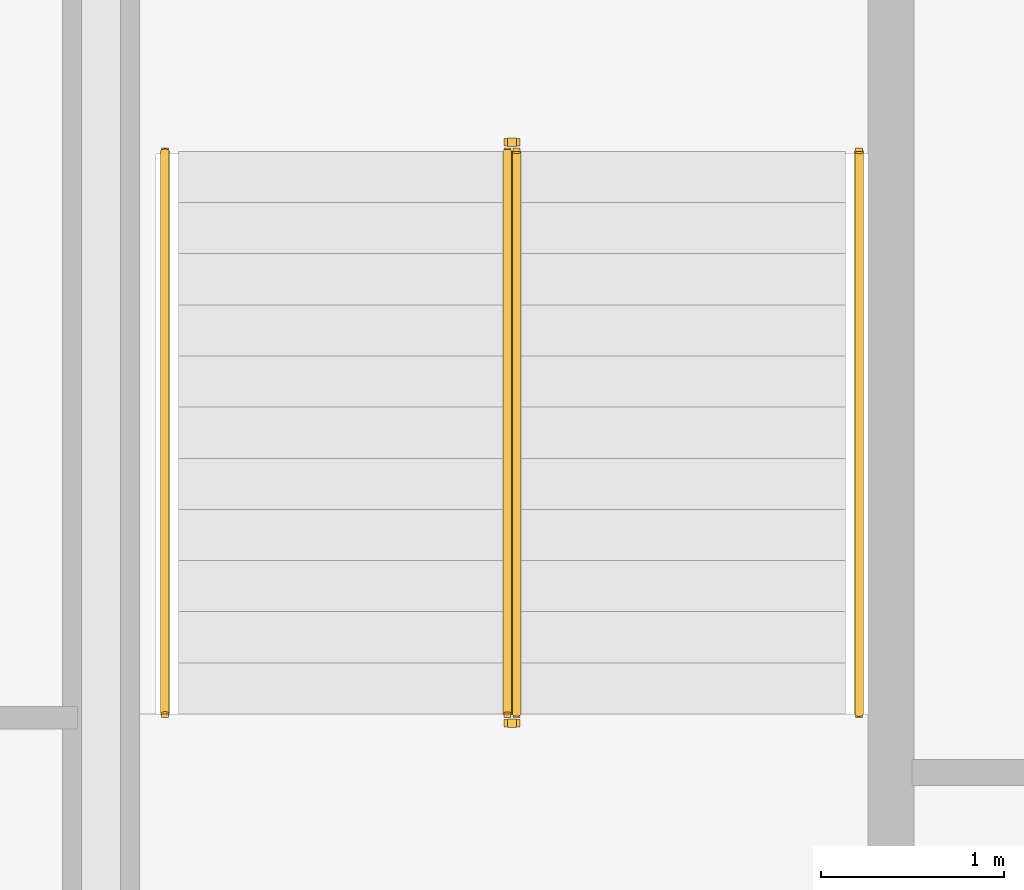
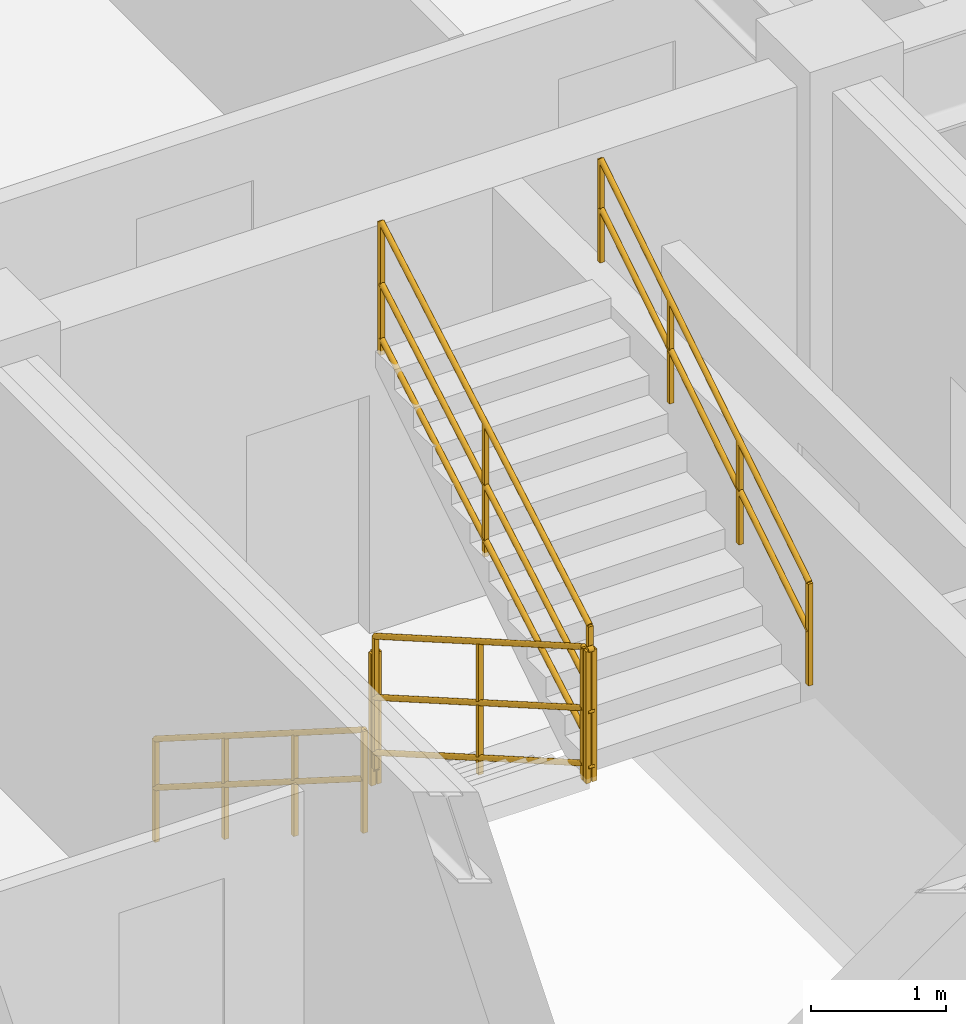
# One storey, part 10 of 10: 6 railings.
"""IFC4 building model written with IfcOpenShell, lengths in metres."""

from ifc_helpers import new_model, entity, si_unit, converted_unit, direction, frame, origin_with_axes, origin_2d_with_axis, place, context, subcontext, project, spatial, rectangle, circle, extrude, material, type_object, element, save


model = new_model("IFC4")

# Units and contexts
model_context = context("Model", 3, precision=1e-05, world=origin_with_axes(), true_north=direction((0.0, 1.0)))
body_context = subcontext(model_context, "Body", "Model", "MODEL_VIEW")
ifc_project = project(units=[si_unit("LENGTHUNIT", "METRE"), si_unit("AREAUNIT", "SQUARE_METRE"), si_unit("VOLUMEUNIT", "CUBIC_METRE"), converted_unit("PLANEANGLEUNIT", "DEGREE", entity("IfcPlaneAngleMeasure", 0.017453292519943295), si_unit("PLANEANGLEUNIT", "RADIAN"), dimensions=[0, 0, 0, 0, 0, 0, 0]), si_unit("MASSUNIT", "GRAM", prefix="KILO"), si_unit("THERMODYNAMICTEMPERATUREUNIT", "KELVIN")], contexts=[model_context])

# Site, building, storey
site_placement = place(None, origin_with_axes())
site = spatial("IfcSite", under=ifc_project, at=site_placement, CompositionType="ELEMENT")
building_placement = place(site_placement, origin_with_axes())
building = spatial("IfcBuilding", under=site, at=building_placement, Name="Varnlund Millrace Tower", CompositionType="ELEMENT")
storey_placement = place(building_placement, frame((0.0, 0.0, 280.2), z_axis=(0.0, 0.0, 1.0), x_axis=(1.0, 0.0, 0.0)))
storey = spatial("IfcBuildingStorey", under=building, at=storey_placement, Name="L69", CompositionType="ELEMENT", Elevation=280.2)

# Railings
ifc_material_1 = material(Name="Painted steel stair well balustrade guard", Category="steel")
railing_type_1 = type_object("IfcRailingType", Name="Type-StairGuard-1150", PredefinedType="GUARDRAIL", material=ifc_material_1)
railing_1_placement = place(storey_placement, frame((0.0, 0.0, -280.2), z_axis=(0.0, 0.0, 1.0), x_axis=(1.0, 0.0, 0.0)))
element("IfcRailing", 1, at=railing_1_placement, inside=storey, type_object=railing_type_1, Name="Type-StairGuard-1150", PredefinedType="GUARDRAIL", context=body_context, shape_type="SweptSolid", body=[
    extrude(circle(Radius=0.024, at=origin_2d_with_axis()), frame((13.625, 35.9, 281.527273), z_axis=(0.0, -0.866696, 0.498836), x_axis=(1.0, 0.0, 0.0)), (0.0, 0.0, 1.0), 3.553725),
    extrude(circle(Radius=0.024, at=origin_2d_with_axis()), frame((13.625, 35.9, 280.477273), z_axis=(0.0, -0.866696, 0.498836), x_axis=(1.0, 0.0, 0.0)), (0.0, 0.0, 1.0), 3.553725),
    extrude(circle(Radius=0.024, at=origin_2d_with_axis()), frame((13.625, 35.9, 280.975273), z_axis=(0.0, -0.866696, 0.498836), x_axis=(1.0, 0.0, 0.0)), (0.0, 0.0, 1.0), 3.553725),
    extrude(rectangle(XDim=0.04, YDim=0.04, at=origin_2d_with_axis()), frame((13.625, 35.9, 280.337273), z_axis=(0.0, 0.0, 1.0), x_axis=(1.0, 0.0, 0.0)), (0.0, 0.0, 1.0), 1.19),
    extrude(rectangle(XDim=0.04, YDim=0.04, at=origin_2d_with_axis()), frame((13.625, 34.36, 281.223636), z_axis=(0.0, 0.0, 1.0), x_axis=(1.0, 0.0, 0.0)), (0.0, 0.0, 1.0), 1.19),
    extrude(rectangle(XDim=0.04, YDim=0.04, at=origin_2d_with_axis()), frame((13.625, 32.82, 282.11), z_axis=(0.0, 0.0, 1.0), x_axis=(1.0, 0.0, 0.0)), (0.0, 0.0, 1.0), 1.19),
])
railing_2_placement = place(storey_placement, frame((0.0, 0.0, -280.2), z_axis=(0.0, 0.0, 1.0), x_axis=(1.0, 0.0, 0.0)))
element("IfcRailing", 2, at=railing_2_placement, inside=storey, type_object=railing_type_1, Name="Type-StairGuard-1150", PredefinedType="GUARDRAIL", context=body_context, shape_type="SweptSolid", body=[
    extrude(circle(Radius=0.024, at=origin_2d_with_axis()), frame((13.675, 32.77, 283.3), z_axis=(-1.0, 0.0, 0.0), x_axis=(0.0, -1.0, 0.0)), (0.0, 0.0, 1.0), 0.05),
    extrude(circle(Radius=0.024, at=origin_2d_with_axis()), frame((13.675, 32.77, 282.25), z_axis=(-1.0, 0.0, 0.0), x_axis=(0.0, -1.0, 0.0)), (0.0, 0.0, 1.0), 0.05),
    extrude(circle(Radius=0.024, at=origin_2d_with_axis()), frame((13.675, 32.77, 282.748), z_axis=(-1.0, 0.0, 0.0), x_axis=(0.0, -1.0, 0.0)), (0.0, 0.0, 1.0), 0.05),
    extrude(rectangle(XDim=0.04, YDim=0.04, at=origin_2d_with_axis()), frame((13.675, 32.77, 282.11), z_axis=(0.0, 0.0, 1.0), x_axis=(1.0, 0.0, 0.0)), (0.0, 0.0, 1.0), 1.19),
    extrude(rectangle(XDim=0.04, YDim=0.04, at=origin_2d_with_axis()), frame((13.625, 32.77, 282.11), z_axis=(0.0, 0.0, 1.0), x_axis=(1.0, 0.0, 0.0)), (0.0, 0.0, 1.0), 1.19),
])
railing_3_placement = place(storey_placement, frame((0.0, 0.0, -280.2), z_axis=(0.0, 0.0, 1.0), x_axis=(1.0, 0.0, 0.0)))
element("IfcRailing", 3, at=railing_3_placement, inside=storey, type_object=railing_type_1, Name="Type-StairGuard-1150", PredefinedType="GUARDRAIL", context=body_context, shape_type="SweptSolid", body=[
    extrude(circle(Radius=0.024, at=origin_2d_with_axis()), frame((13.675, 32.82, 283.477273), z_axis=(0.0, 0.866696, 0.498836), x_axis=(-1.0, 0.0, 0.0)), (0.0, 0.0, 1.0), 3.553725),
    extrude(circle(Radius=0.024, at=origin_2d_with_axis()), frame((13.675, 32.82, 282.427273), z_axis=(0.0, 0.866696, 0.498836), x_axis=(-1.0, 0.0, 0.0)), (0.0, 0.0, 1.0), 3.553725),
    extrude(circle(Radius=0.024, at=origin_2d_with_axis()), frame((13.675, 32.82, 282.925273), z_axis=(0.0, 0.866696, 0.498836), x_axis=(-1.0, 0.0, 0.0)), (0.0, 0.0, 1.0), 3.553725),
    extrude(rectangle(XDim=0.04, YDim=0.04, at=origin_2d_with_axis()), frame((13.675, 32.82, 282.287273), z_axis=(0.0, 0.0, 1.0), x_axis=(1.0, 0.0, 0.0)), (0.0, 0.0, 1.0), 1.19),
    extrude(rectangle(XDim=0.04, YDim=0.04, at=origin_2d_with_axis()), frame((13.675, 34.36, 283.173636), z_axis=(0.0, 0.0, 1.0), x_axis=(1.0, 0.0, 0.0)), (0.0, 0.0, 1.0), 1.19),
    extrude(rectangle(XDim=0.04, YDim=0.04, at=origin_2d_with_axis()), frame((13.675, 35.9, 284.06), z_axis=(0.0, 0.0, 1.0), x_axis=(1.0, 0.0, 0.0)), (0.0, 0.0, 1.0), 1.19),
])
railing_4_placement = place(storey_placement, frame((0.0, 0.0, -280.2), z_axis=(0.0, 0.0, 1.0), x_axis=(1.0, 0.0, 0.0)))
element("IfcRailing", 4, at=railing_4_placement, inside=storey, type_object=railing_type_1, Name="Type-StairGuard-1150", PredefinedType="GUARDRAIL", context=body_context, shape_type="SweptSolid", body=[
    extrude(circle(Radius=0.024, at=origin_2d_with_axis()), frame((13.675, 35.95, 281.35), z_axis=(-1.0, 0.0, 0.0), x_axis=(0.0, -1.0, 0.0)), (0.0, 0.0, 1.0), 0.05),
    extrude(circle(Radius=0.024, at=origin_2d_with_axis()), frame((13.675, 35.95, 280.3), z_axis=(-1.0, 0.0, 0.0), x_axis=(0.0, -1.0, 0.0)), (0.0, 0.0, 1.0), 0.05),
    extrude(circle(Radius=0.024, at=origin_2d_with_axis()), frame((13.675, 35.95, 280.798), z_axis=(-1.0, 0.0, 0.0), x_axis=(0.0, -1.0, 0.0)), (0.0, 0.0, 1.0), 0.05),
    extrude(rectangle(XDim=0.04, YDim=0.04, at=origin_2d_with_axis()), frame((13.675, 35.95, 280.16), z_axis=(0.0, 0.0, 1.0), x_axis=(1.0, 0.0, 0.0)), (0.0, 0.0, 1.0), 1.19),
    extrude(rectangle(XDim=0.04, YDim=0.04, at=origin_2d_with_axis()), frame((13.625, 35.95, 280.16), z_axis=(0.0, 0.0, 1.0), x_axis=(1.0, 0.0, 0.0)), (0.0, 0.0, 1.0), 1.19),
])
ifc_material_2 = material(Name="Brushed architectural bronze stair handrail", Category="aluminium")
railing_type_2 = type_object("IfcRailingType", Name="Type-StairHandrail-900", PredefinedType="HANDRAIL", material=ifc_material_2)
railing_5_placement = place(storey_placement, frame((0.0, 0.0, -280.2), z_axis=(0.0, 0.0, 1.0), x_axis=(1.0, 0.0, 0.0)))
element("IfcRailing", 5, at=railing_5_placement, inside=storey, type_object=railing_type_2, Name="Type-StairHandrail-900", PredefinedType="HANDRAIL", context=body_context, shape_type="SweptSolid", body=[
    extrude(circle(Radius=0.024, at=origin_2d_with_axis()), frame((11.75, 35.9, 281.256995), z_axis=(0.0, -0.844902, 0.534922), x_axis=(1.0, 0.0, 0.0)), (0.0, 0.0, 1.0), 3.645394),
    extrude(circle(Radius=0.024, at=origin_2d_with_axis()), frame((11.75, 35.9, 280.817134), z_axis=(0.0, -0.844902, 0.534922), x_axis=(1.0, 0.0, 0.0)), (0.0, 0.0, 1.0), 3.645394),
    extrude(rectangle(XDim=0.04, YDim=0.04, at=origin_2d_with_axis()), frame((11.75, 35.9, 280.337273), z_axis=(0.0, 0.0, 1.0), x_axis=(1.0, 0.0, 0.0)), (0.0, 0.0, 1.0), 0.919722),
    extrude(rectangle(XDim=0.04, YDim=0.04, at=origin_2d_with_axis()), frame((11.75, 34.873333, 280.987273), z_axis=(0.0, 0.0, 1.0), x_axis=(1.0, 0.0, 0.0)), (0.0, 0.0, 1.0), 0.919722),
    extrude(rectangle(XDim=0.04, YDim=0.04, at=origin_2d_with_axis()), frame((11.75, 33.846667, 281.637273), z_axis=(0.0, 0.0, 1.0), x_axis=(1.0, 0.0, 0.0)), (0.0, 0.0, 1.0), 0.919722),
    extrude(rectangle(XDim=0.04, YDim=0.04, at=origin_2d_with_axis()), frame((11.75, 32.82, 282.287273), z_axis=(0.0, 0.0, 1.0), x_axis=(1.0, 0.0, 0.0)), (0.0, 0.0, 1.0), 0.919722),
])
railing_6_placement = place(storey_placement, frame((0.0, 0.0, -280.2), z_axis=(0.0, 0.0, 1.0), x_axis=(1.0, 0.0, 0.0)))
element("IfcRailing", 6, at=railing_6_placement, inside=storey, type_object=railing_type_2, Name="Type-StairHandrail-900", PredefinedType="HANDRAIL", context=body_context, shape_type="SweptSolid", body=[
    extrude(circle(Radius=0.024, at=origin_2d_with_axis()), frame((15.55, 32.82, 283.206995), z_axis=(0.0, 0.844902, 0.534922), x_axis=(-1.0, 0.0, 0.0)), (0.0, 0.0, 1.0), 3.645394),
    extrude(circle(Radius=0.024, at=origin_2d_with_axis()), frame((15.55, 32.82, 282.767134), z_axis=(0.0, 0.844902, 0.534922), x_axis=(-1.0, 0.0, 0.0)), (0.0, 0.0, 1.0), 3.645394),
    extrude(rectangle(XDim=0.04, YDim=0.04, at=origin_2d_with_axis()), frame((15.55, 32.82, 282.287273), z_axis=(0.0, 0.0, 1.0), x_axis=(1.0, 0.0, 0.0)), (0.0, 0.0, 1.0), 0.919722),
    extrude(rectangle(XDim=0.04, YDim=0.04, at=origin_2d_with_axis()), frame((15.55, 33.846667, 282.937273), z_axis=(0.0, 0.0, 1.0), x_axis=(1.0, 0.0, 0.0)), (0.0, 0.0, 1.0), 0.919722),
    extrude(rectangle(XDim=0.04, YDim=0.04, at=origin_2d_with_axis()), frame((15.55, 34.873333, 283.587273), z_axis=(0.0, 0.0, 1.0), x_axis=(1.0, 0.0, 0.0)), (0.0, 0.0, 1.0), 0.919722),
    extrude(rectangle(XDim=0.04, YDim=0.04, at=origin_2d_with_axis()), frame((15.55, 35.9, 284.237273), z_axis=(0.0, 0.0, 1.0), x_axis=(1.0, 0.0, 0.0)), (0.0, 0.0, 1.0), 0.919722),
])

save(model, "model.ifc")
